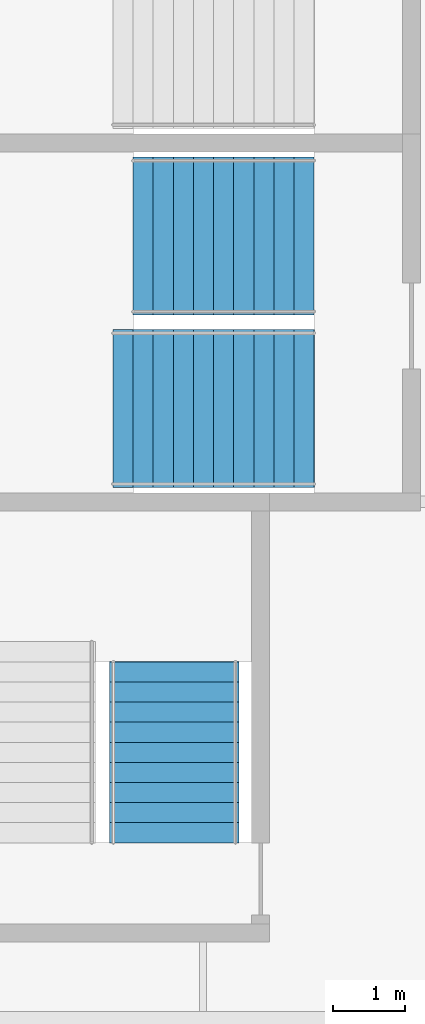
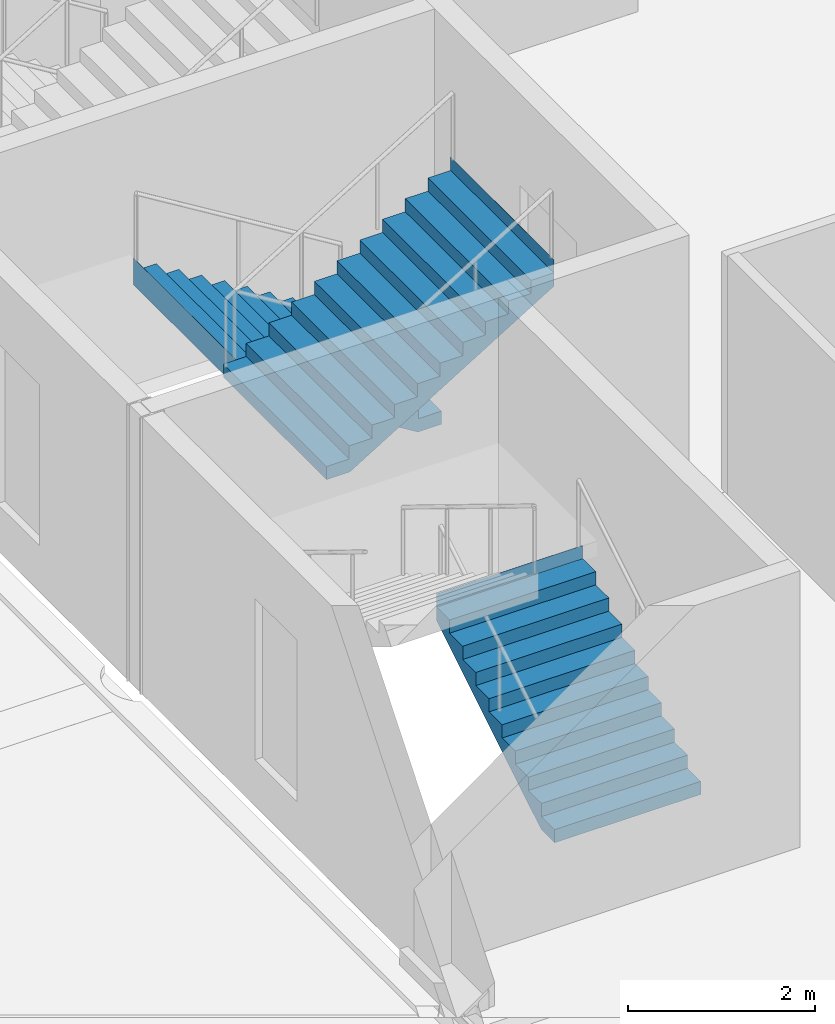
# One storey, part 89 of 143: 3 stair flights, 2 elements without a shape of their own.
"""IFC4 building model written with IfcOpenShell, lengths in metres."""

from ifc_helpers import new_model, si_unit, direction, frame, origin, place, context, subcontext, project, spatial, polyline, outline, extrude, material, type_object, element, aggregate, save


model = new_model("IFC4")

# Units and contexts
model_context = context("Model", 3, precision=1e-05, world=origin(), true_north=direction((0.0, 1.0)))
body_context = subcontext(model_context, "Body", "Model", "MODEL_VIEW")
ifc_project = project(units=[si_unit("LENGTHUNIT", "METRE"), si_unit("AREAUNIT", "SQUARE_METRE"), si_unit("VOLUMEUNIT", "CUBIC_METRE"), si_unit("PLANEANGLEUNIT", "RADIAN"), si_unit("MASSUNIT", "GRAM", prefix="KILO")], contexts=[model_context])

# Site, building, storey
site_placement = place(None, origin())
site = spatial("IfcSite", under=ifc_project, at=site_placement, CompositionType="ELEMENT")
building_placement = place(site_placement, origin())
building = spatial("IfcBuilding", under=site, at=building_placement, Name="Kupolbacken Congress Centre", CompositionType="ELEMENT")
storey_placement = place(building_placement, frame((0.0, 0.0, 7.199951171875)))
storey = spatial("IfcBuildingStorey", under=building, at=storey_placement, Name="L02", CompositionType="ELEMENT", Elevation=7.199951171875)

# Stair, stair flights
ifc_material_1 = material(Name="Concrete C30/37", Category="concrete")
stair_type_1 = type_object("IfcStairType", Name="ST13 stair 2200", PredefinedType="TWO_STRAIGHT_RUN_STAIR", material=ifc_material_1)
stair_1_placement = place(storey_placement, origin())
stair_1 = element("IfcStair", 1, at=stair_1_placement, inside=storey, type_object=stair_type_1, Name="C/stair/PS1SW/L02", PredefinedType="NOTDEFINED")
ifc_material_2 = material(Name="Concrete C30/37", Category="concrete")
stair_flight_type_1 = type_object("IfcStairFlightType", Name="FL13 stair flight 2200 x 10 risers", PredefinedType="STRAIGHT", material=ifc_material_2)
stair_flight_1_placement = place(storey_placement, frame((12.344970703125, 54.10009765625, 0.0), z_axis=(0.0, 0.0, 1.0), x_axis=(-1.0, 0.0, 0.0)))
stair_flight_1 = element("IfcStairFlight", 2, at=stair_flight_1_placement, type_object=stair_flight_type_1, Name="PS1SW flight 1", NumberOfRisers=10, NumberOfTreads=9, PredefinedType="STRAIGHT", RiserHeight=0.171428571, TreadLength=0.28, context=body_context, shape_type="SweptSolid", body=[
    extrude(outline(polyline([(0.0, 0.0), (0.0, 0.0009765625), (0.0, 0.002197265625), (0.0, 0.003173828125), (0.0, 0.004150390625), (0.0, 0.00537109375), (0.0, 0.00634765625), (0.0, 0.007568359375), (0.0, 0.008544921875), (0.0, 0.009521484375), (0.0, 0.0107421875), (0.0, 0.01171875), (0.0, 0.0126953125), (0.0, 0.013916015625), (0.0, 0.014892578125), (0.0, 0.015869140625), (0.0, 0.01708984375), (0.0, 0.01806640625), (0.0, 0.019287109375), (0.0, 0.020263671875), (0.0, 0.021240234375), (0.0, 0.0224609375), (0.0, 0.0234375), (0.0, 0.0244140625), (0.0, 0.025634765625), (0.0, 0.026611328125), (0.0, 0.027587890625), (0.0, 0.02880859375), (0.0, 0.02978515625), (0.0, 0.03076171875), (0.0, 0.031982421875), (0.0, 0.032958984375), (0.0, 0.0341796875), (0.0, 0.03515625), (0.0, 0.0361328125), (0.0, 0.037353515625), (0.0, 0.038330078125), (0.0, 0.039306640625), (0.0, 0.04052734375), (0.0, 0.04150390625), (0.0, 0.04248046875), (0.0, 0.043701171875), (0.0, 0.044677734375), (0.0, 0.0458984375), (0.0, 0.046875), (0.0, 0.0478515625), (0.0, 0.049072265625), (0.0, 0.050048828125), (0.0, 0.051025390625), (0.0, 0.05224609375), (0.0, 0.05322265625), (0.0, 0.05419921875), (0.0, 0.055419921875), (0.0, 0.056396484375), (0.0, 0.0576171875), (0.0, 0.05859375), (0.0, 0.0595703125), (0.0, 0.060791015625), (0.0, 0.061767578125), (0.0, 0.062744140625), (0.0, 0.06396484375), (0.0, 0.06494140625), (0.0, 0.06591796875), (0.0, 0.067138671875), (0.0, 0.068115234375), (0.0, 0.069091796875), (0.0, 0.0703125), (0.0, 0.0712890625), (0.0, 0.072509765625), (0.0, 0.073486328125), (0.0, 0.074462890625), (0.0, 0.07568359375), (0.0, 0.07666015625), (0.0, 0.07763671875), (0.0, 0.078857421875), (0.0, 0.079833984375), (0.0, 0.080810546875), (0.0, 0.08203125), (0.0, 0.0830078125), (0.0, 0.084228515625), (0.0, 0.085205078125), (0.0, 0.086181640625), (0.0, 0.08740234375), (0.0, 0.08837890625), (0.0, 0.08935546875), (0.0, 0.090576171875), (0.0, 0.091552734375), (0.0, 0.092529296875), (0.0, 0.09375), (0.0, 0.0947265625), (0.0, 0.095947265625), (0.0, 0.096923828125), (0.0, 0.097900390625), (0.0, 0.09912109375), (0.0, 0.10009765625), (0.0, 0.10107421875), (0.0, 0.102294921875), (0.0, 0.103271484375), (0.0, 0.104248046875), (0.0, 0.10546875), (0.0, 0.1064453125), (0.0, 0.107421875), (0.0, 0.108642578125), (0.0, 0.109619140625), (0.0, 0.11083984375), (0.0, 0.11181640625), (0.0, 0.11279296875), (0.0, 0.114013671875), (0.0, 0.114990234375), (0.0, 0.115966796875), (0.0, 0.1171875), (0.0, 0.1181640625), (0.0, 0.119140625), (0.0, 0.120361328125), (0.0, 0.121337890625), (0.0, 0.12255859375), (0.0, 0.12353515625), (0.0, 0.12451171875), (0.0, 0.125732421875), (0.0, 0.126708984375), (0.0, 0.127685546875), (0.0, 0.12890625), (0.0, 0.1298828125), (0.0, 0.130859375), (0.0, 0.132080078125), (0.0, 0.133056640625), (0.0, 0.13427734375), (0.0, 0.13525390625), (0.0, 0.13623046875), (0.0, 0.137451171875), (0.0, 0.138427734375), (0.0, 0.139404296875), (0.0, 0.140625), (0.0, 0.1416015625), (0.0, 0.142578125), (0.0, 0.143798828125), (0.0, 0.144775390625), (0.0, 0.145751953125), (0.0, 0.14697265625), (0.0, 0.14794921875), (0.0, 0.149169921875), (0.0, 0.150146484375), (0.0, 0.151123046875), (0.0, 0.15234375), (0.0, 0.1533203125), (0.0, 0.154296875), (0.0, 0.155517578125), (0.0, 0.156494140625), (0.0, 0.157470703125), (0.0, 0.15869140625), (0.0, 0.15966796875), (0.0, 0.160888671875), (0.0, 0.161865234375), (0.0, 0.162841796875), (0.0, 0.1640625), (0.0, 0.1650390625), (0.0, 0.166015625), (0.0, 0.167236328125), (0.0, 0.168212890625), (0.0, 0.169189453125), (0.0, 0.17041015625), (0.0, 0.17138671875), (0.280029296875, 0.17138671875), (0.280029296875, 0.3427734375), (0.56005859375, 0.3427734375), (0.56005859375, 0.514404296875), (0.840087890625, 0.514404296875), (0.840087890625, 0.685791015625), (1.1201171875, 0.685791015625), (1.1201171875, 0.857177734375), (1.39990234375, 0.857177734375), (1.39990234375, 1.028564453125), (1.679931640625, 1.028564453125), (1.679931640625, 1.199951171875), (1.9599609375, 1.199951171875), (1.9599609375, 1.371337890625), (2.239990234375, 1.371337890625), (2.239990234375, 1.54296875), (2.52001953125, 1.54296875), (2.52001953125, 1.71435546875), (2.52197265625, 1.71435546875), (2.52197265625, 1.712158203125), (2.52197265625, 1.7099609375), (2.52197265625, 1.707763671875), (2.52197265625, 1.70556640625), (2.52197265625, 1.70361328125), (2.52197265625, 1.701416015625), (2.52197265625, 1.69921875), (2.52197265625, 1.697021484375), (2.52197265625, 1.69482421875), (2.52197265625, 1.692626953125), (2.52197265625, 1.690673828125), (2.52197265625, 1.6884765625), (2.52197265625, 1.686279296875), (2.52197265625, 1.68408203125), (2.52197265625, 1.681884765625), (2.52197265625, 1.6796875), (2.52197265625, 1.677734375), (2.52197265625, 1.675537109375), (2.52197265625, 1.67333984375), (2.52197265625, 1.671142578125), (2.52197265625, 1.6689453125), (2.52197265625, 1.666748046875), (2.52197265625, 1.664794921875), (2.52197265625, 1.66259765625), (2.52197265625, 1.660400390625), (2.52197265625, 1.658203125), (2.52197265625, 1.656005859375), (2.52197265625, 1.65380859375), (2.52197265625, 1.65185546875), (2.52197265625, 1.649658203125), (2.52197265625, 1.6474609375), (2.52197265625, 1.645263671875), (2.52197265625, 1.64306640625), (2.52197265625, 1.640869140625), (2.52197265625, 1.638916015625), (2.52197265625, 1.63671875), (2.52197265625, 1.634521484375), (2.52197265625, 1.63232421875), (2.52197265625, 1.630126953125), (2.52197265625, 1.6279296875), (2.52197265625, 1.6259765625), (2.52197265625, 1.623779296875), (2.52197265625, 1.62158203125), (2.52197265625, 1.619384765625), (2.52197265625, 1.6171875), (2.52197265625, 1.614990234375), (2.52197265625, 1.613037109375), (2.52197265625, 1.61083984375), (2.52197265625, 1.608642578125), (2.52197265625, 1.6064453125), (2.52197265625, 1.604248046875), (2.52197265625, 1.60205078125), (2.52197265625, 1.60009765625), (2.52197265625, 1.597900390625), (2.52197265625, 1.595703125), (2.52197265625, 1.593505859375), (2.52197265625, 1.59130859375), (2.52197265625, 1.589111328125), (2.52197265625, 1.587158203125), (2.52197265625, 1.5849609375), (2.52197265625, 1.582763671875), (2.52197265625, 1.58056640625), (2.52197265625, 1.578369140625), (2.52197265625, 1.576171875), (2.52197265625, 1.57421875), (2.52197265625, 1.572021484375), (2.52197265625, 1.56982421875), (2.52197265625, 1.567626953125), (2.52197265625, 1.5654296875), (2.52197265625, 1.563232421875), (2.52197265625, 1.561279296875), (2.52197265625, 1.55908203125), (2.52197265625, 1.556884765625), (2.52197265625, 1.5546875), (2.52197265625, 1.552490234375), (2.52197265625, 1.55029296875), (2.52197265625, 1.54833984375), (2.52197265625, 1.546142578125), (2.52197265625, 1.5439453125), (2.52197265625, 1.541748046875), (2.52197265625, 1.53955078125), (2.52197265625, 1.537353515625), (2.52197265625, 1.535400390625), (2.52197265625, 1.533203125), (2.52197265625, 1.531005859375), (2.52197265625, 1.52880859375), (2.52197265625, 1.526611328125), (2.52197265625, 1.5244140625), (2.52197265625, 1.5224609375), (2.52197265625, 1.520263671875), (2.52197265625, 1.51806640625), (2.52197265625, 1.515869140625), (2.52197265625, 1.513671875), (2.52197265625, 1.511474609375), (2.52197265625, 1.509521484375), (2.52197265625, 1.50732421875), (2.52197265625, 1.505126953125), (2.52197265625, 1.5029296875), (2.52197265625, 1.500732421875), (2.52197265625, 1.49853515625), (2.52197265625, 1.49658203125), (2.52197265625, 1.494384765625), (2.52197265625, 1.4921875), (2.52197265625, 1.489990234375), (2.52197265625, 1.48779296875), (2.52197265625, 1.485595703125), (2.52197265625, 1.483642578125), (2.52197265625, 1.4814453125), (2.52197265625, 1.479248046875), (2.52197265625, 1.47705078125), (2.52197265625, 1.474853515625), (2.52197265625, 1.47265625), (2.52197265625, 1.470703125), (2.52197265625, 1.468505859375), (2.52197265625, 1.46630859375), (2.52197265625, 1.464111328125), (2.52197265625, 1.4619140625), (2.52197265625, 1.459716796875), (2.52197265625, 1.457763671875), (2.52197265625, 1.45556640625), (2.52197265625, 1.453369140625), (2.52197265625, 1.451171875), (2.52197265625, 1.448974609375), (2.52197265625, 1.44677734375), (2.52197265625, 1.44482421875), (2.52197265625, 1.442626953125), (2.52197265625, 1.4404296875), (2.52197265625, 1.438232421875), (2.52197265625, 1.43603515625), (2.52197265625, 1.433837890625), (2.52197265625, 1.431884765625), (2.52197265625, 1.4296875), (2.52197265625, 1.427490234375), (2.52197265625, 1.42529296875), (2.52197265625, 1.423095703125), (2.52197265625, 1.4208984375), (2.52197265625, 1.4189453125), (2.52197265625, 1.416748046875), (2.52197265625, 1.41455078125), (2.52197265625, 1.412353515625), (2.52197265625, 1.41015625), (2.52197265625, 1.407958984375), (2.52197265625, 1.406005859375), (2.52197265625, 1.40380859375), (2.52197265625, 1.401611328125), (2.52197265625, 1.3994140625), (2.52197265625, 1.397216796875), (2.52197265625, 1.39501953125), (2.52197265625, 1.39306640625), (2.52197265625, 1.390869140625), (2.52197265625, 1.388671875), (2.52197265625, 1.386474609375), (2.52197265625, 1.38427734375), (2.52197265625, 1.382080078125), (2.52197265625, 1.380126953125), (2.52197265625, 1.3779296875), (2.52197265625, 1.375732421875), (2.52197265625, 1.37353515625), (2.52197265625, 1.371337890625), (2.52197265625, 1.369140625), (2.52197265625, 1.3671875), (0.2890625, 0.0), (0.0, 0.0)])), frame((0.0, 1.10009765625, 0.0), z_axis=(0.0, -1.0, 0.0), x_axis=(1.0, 0.0, 0.0)), (0.0, 0.0, 1.0), 2.199951171875),
])
ifc_material_3 = material(Name="Concrete C30/37", Category="concrete")
stair_flight_type_2 = type_object("IfcStairFlightType", Name="FL14 stair flight 2200 x 11 risers", PredefinedType="STRAIGHT", material=ifc_material_3)
stair_flight_2_placement = place(storey_placement, frame((9.544921875, 51.699951171875, 1.71435546875), z_axis=(0.0, 0.0, 1.0), x_axis=(1.0, 0.0, 0.0)))
stair_flight_2 = element("IfcStairFlight", 3, at=stair_flight_2_placement, type_object=stair_flight_type_2, Name="PS1SW flight 2", NumberOfRisers=11, NumberOfTreads=10, PredefinedType="STRAIGHT", RiserHeight=0.171428571, TreadLength=0.28, context=body_context, shape_type="SweptSolid", body=[
    extrude(outline(polyline([(0.0, 0.0), (0.0, 0.0009765625), (0.0, 0.002197265625), (0.0, 0.003173828125), (0.0, 0.004150390625), (0.0, 0.00537109375), (0.0, 0.00634765625), (0.0, 0.007568359375), (0.0, 0.008544921875), (0.0, 0.009521484375), (0.0, 0.0107421875), (0.0, 0.01171875), (0.0, 0.0126953125), (0.0, 0.013916015625), (0.0, 0.014892578125), (0.0, 0.015869140625), (0.0, 0.01708984375), (0.0, 0.01806640625), (0.0, 0.019287109375), (0.0, 0.020263671875), (0.0, 0.021240234375), (0.0, 0.0224609375), (0.0, 0.0234375), (0.0, 0.0244140625), (0.0, 0.025634765625), (0.0, 0.026611328125), (0.0, 0.027587890625), (0.0, 0.02880859375), (0.0, 0.02978515625), (0.0, 0.03076171875), (0.0, 0.031982421875), (0.0, 0.032958984375), (0.0, 0.0341796875), (0.0, 0.03515625), (0.0, 0.0361328125), (0.0, 0.037353515625), (0.0, 0.038330078125), (0.0, 0.039306640625), (0.0, 0.04052734375), (0.0, 0.04150390625), (0.0, 0.04248046875), (0.0, 0.043701171875), (0.0, 0.044677734375), (0.0, 0.0458984375), (0.0, 0.046875), (0.0, 0.0478515625), (0.0, 0.049072265625), (0.0, 0.050048828125), (0.0, 0.051025390625), (0.0, 0.05224609375), (0.0, 0.05322265625), (0.0, 0.05419921875), (0.0, 0.055419921875), (0.0, 0.056396484375), (0.0, 0.0576171875), (0.0, 0.05859375), (0.0, 0.0595703125), (0.0, 0.060791015625), (0.0, 0.061767578125), (0.0, 0.062744140625), (0.0, 0.06396484375), (0.0, 0.06494140625), (0.0, 0.06591796875), (0.0, 0.067138671875), (0.0, 0.068115234375), (0.0, 0.069091796875), (0.0, 0.0703125), (0.0, 0.0712890625), (0.0, 0.072509765625), (0.0, 0.073486328125), (0.0, 0.074462890625), (0.0, 0.07568359375), (0.0, 0.07666015625), (0.0, 0.07763671875), (0.0, 0.078857421875), (0.0, 0.079833984375), (0.0, 0.080810546875), (0.0, 0.08203125), (0.0, 0.0830078125), (0.0, 0.084228515625), (0.0, 0.085205078125), (0.0, 0.086181640625), (0.0, 0.08740234375), (0.0, 0.08837890625), (0.0, 0.08935546875), (0.0, 0.090576171875), (0.0, 0.091552734375), (0.0, 0.092529296875), (0.0, 0.09375), (0.0, 0.0947265625), (0.0, 0.095947265625), (0.0, 0.096923828125), (0.0, 0.097900390625), (0.0, 0.09912109375), (0.0, 0.10009765625), (0.0, 0.10107421875), (0.0, 0.102294921875), (0.0, 0.103271484375), (0.0, 0.104248046875), (0.0, 0.10546875), (0.0, 0.1064453125), (0.0, 0.107421875), (0.0, 0.108642578125), (0.0, 0.109619140625), (0.0, 0.11083984375), (0.0, 0.11181640625), (0.0, 0.11279296875), (0.0, 0.114013671875), (0.0, 0.114990234375), (0.0, 0.115966796875), (0.0, 0.1171875), (0.0, 0.1181640625), (0.0, 0.119140625), (0.0, 0.120361328125), (0.0, 0.121337890625), (0.0, 0.12255859375), (0.0, 0.12353515625), (0.0, 0.12451171875), (0.0, 0.125732421875), (0.0, 0.126708984375), (0.0, 0.127685546875), (0.0, 0.12890625), (0.0, 0.1298828125), (0.0, 0.130859375), (0.0, 0.132080078125), (0.0, 0.133056640625), (0.0, 0.13427734375), (0.0, 0.13525390625), (0.0, 0.13623046875), (0.0, 0.137451171875), (0.0, 0.138427734375), (0.0, 0.139404296875), (0.0, 0.140625), (0.0, 0.1416015625), (0.0, 0.142578125), (0.0, 0.143798828125), (0.0, 0.144775390625), (0.0, 0.145751953125), (0.0, 0.14697265625), (0.0, 0.14794921875), (0.0, 0.149169921875), (0.0, 0.150146484375), (0.0, 0.151123046875), (0.0, 0.15234375), (0.0, 0.1533203125), (0.0, 0.154296875), (0.0, 0.155517578125), (0.0, 0.156494140625), (0.0, 0.157470703125), (0.0, 0.15869140625), (0.0, 0.15966796875), (0.0, 0.160888671875), (0.0, 0.161865234375), (0.0, 0.162841796875), (0.0, 0.1640625), (0.0, 0.1650390625), (0.0, 0.166015625), (0.0, 0.167236328125), (0.0, 0.168212890625), (0.0, 0.169189453125), (0.0, 0.17041015625), (0.0, 0.17138671875), (0.280029296875, 0.17138671875), (0.280029296875, 0.3427734375), (0.56005859375, 0.3427734375), (0.56005859375, 0.514404296875), (0.840087890625, 0.514404296875), (0.840087890625, 0.685791015625), (1.1201171875, 0.685791015625), (1.1201171875, 0.857177734375), (1.39990234375, 0.857177734375), (1.39990234375, 1.028564453125), (1.679931640625, 1.028564453125), (1.679931640625, 1.199951171875), (1.9599609375, 1.199951171875), (1.9599609375, 1.371337890625), (2.239990234375, 1.371337890625), (2.239990234375, 1.54296875), (2.52001953125, 1.54296875), (2.52001953125, 1.71435546875), (2.800048828125, 1.71435546875), (2.800048828125, 1.8857421875), (2.802001953125, 1.8857421875), (2.802001953125, 1.883544921875), (2.802001953125, 1.88134765625), (2.802001953125, 1.879150390625), (2.802001953125, 1.877197265625), (2.802001953125, 1.875), (2.802001953125, 1.872802734375), (2.802001953125, 1.87060546875), (2.802001953125, 1.868408203125), (2.802001953125, 1.8662109375), (2.802001953125, 1.8642578125), (2.802001953125, 1.862060546875), (2.802001953125, 1.85986328125), (2.802001953125, 1.857666015625), (2.802001953125, 1.85546875), (2.802001953125, 1.853271484375), (2.802001953125, 1.851318359375), (2.802001953125, 1.84912109375), (2.802001953125, 1.846923828125), (2.802001953125, 1.8447265625), (2.802001953125, 1.842529296875), (2.802001953125, 1.84033203125), (2.802001953125, 1.83837890625), (2.802001953125, 1.836181640625), (2.802001953125, 1.833984375), (2.802001953125, 1.831787109375), (2.802001953125, 1.82958984375), (2.802001953125, 1.827392578125), (2.802001953125, 1.825439453125), (2.802001953125, 1.8232421875), (2.802001953125, 1.821044921875), (2.802001953125, 1.81884765625), (2.802001953125, 1.816650390625), (2.802001953125, 1.814453125), (2.802001953125, 1.8125), (2.802001953125, 1.810302734375), (2.802001953125, 1.80810546875), (2.802001953125, 1.805908203125), (2.802001953125, 1.8037109375), (2.802001953125, 1.801513671875), (2.802001953125, 1.799560546875), (2.802001953125, 1.79736328125), (2.802001953125, 1.795166015625), (2.802001953125, 1.79296875), (2.802001953125, 1.790771484375), (2.802001953125, 1.78857421875), (2.802001953125, 1.78662109375), (2.802001953125, 1.784423828125), (2.802001953125, 1.7822265625), (2.802001953125, 1.780029296875), (2.802001953125, 1.77783203125), (2.802001953125, 1.775634765625), (2.802001953125, 1.773681640625), (2.802001953125, 1.771484375), (2.802001953125, 1.769287109375), (2.802001953125, 1.76708984375), (2.802001953125, 1.764892578125), (2.802001953125, 1.7626953125), (2.802001953125, 1.7607421875), (2.802001953125, 1.758544921875), (2.802001953125, 1.75634765625), (2.802001953125, 1.754150390625), (2.802001953125, 1.751953125), (2.802001953125, 1.749755859375), (2.802001953125, 1.747802734375), (2.802001953125, 1.74560546875), (2.802001953125, 1.743408203125), (2.802001953125, 1.7412109375), (2.802001953125, 1.739013671875), (2.802001953125, 1.73681640625), (2.802001953125, 1.73486328125), (2.802001953125, 1.732666015625), (2.802001953125, 1.73046875), (2.802001953125, 1.728271484375), (2.802001953125, 1.72607421875), (2.802001953125, 1.723876953125), (2.802001953125, 1.721923828125), (2.802001953125, 1.7197265625), (2.802001953125, 1.717529296875), (2.802001953125, 1.71533203125), (2.802001953125, 1.713134765625), (2.802001953125, 1.7109375), (2.802001953125, 1.708984375), (2.802001953125, 1.706787109375), (2.802001953125, 1.70458984375), (2.802001953125, 1.702392578125), (2.802001953125, 1.7001953125), (2.802001953125, 1.697998046875), (2.802001953125, 1.696044921875), (2.802001953125, 1.69384765625), (2.802001953125, 1.691650390625), (2.802001953125, 1.689453125), (2.802001953125, 1.687255859375), (2.802001953125, 1.68505859375), (2.802001953125, 1.68310546875), (2.802001953125, 1.680908203125), (2.802001953125, 1.6787109375), (2.802001953125, 1.676513671875), (2.802001953125, 1.67431640625), (2.802001953125, 1.672119140625), (2.802001953125, 1.670166015625), (2.802001953125, 1.66796875), (2.802001953125, 1.665771484375), (2.802001953125, 1.66357421875), (2.802001953125, 1.661376953125), (2.802001953125, 1.6591796875), (2.802001953125, 1.6572265625), (2.802001953125, 1.655029296875), (2.802001953125, 1.65283203125), (2.802001953125, 1.650634765625), (2.802001953125, 1.6484375), (2.802001953125, 1.646240234375), (2.802001953125, 1.644287109375), (2.802001953125, 1.64208984375), (2.802001953125, 1.639892578125), (2.802001953125, 1.6376953125), (2.802001953125, 1.635498046875), (2.802001953125, 1.63330078125), (2.802001953125, 1.63134765625), (2.802001953125, 1.629150390625), (2.802001953125, 1.626953125), (2.802001953125, 1.624755859375), (2.802001953125, 1.62255859375), (2.802001953125, 1.620361328125), (2.802001953125, 1.618408203125), (2.802001953125, 1.6162109375), (2.802001953125, 1.614013671875), (2.802001953125, 1.61181640625), (2.802001953125, 1.609619140625), (2.802001953125, 1.607421875), (2.802001953125, 1.60546875), (2.802001953125, 1.603271484375), (2.802001953125, 1.60107421875), (2.802001953125, 1.598876953125), (2.802001953125, 1.5966796875), (2.802001953125, 1.594482421875), (2.802001953125, 1.592529296875), (2.802001953125, 1.59033203125), (2.802001953125, 1.588134765625), (2.802001953125, 1.5859375), (2.802001953125, 1.583740234375), (2.802001953125, 1.58154296875), (2.802001953125, 1.57958984375), (2.802001953125, 1.577392578125), (2.802001953125, 1.5751953125), (2.802001953125, 1.572998046875), (2.802001953125, 1.57080078125), (2.802001953125, 1.568603515625), (2.802001953125, 1.566650390625), (2.802001953125, 1.564453125), (2.802001953125, 1.562255859375), (2.802001953125, 1.56005859375), (2.802001953125, 1.557861328125), (2.802001953125, 1.5556640625), (2.802001953125, 1.5537109375), (2.802001953125, 1.551513671875), (2.802001953125, 1.54931640625), (2.802001953125, 1.547119140625), (2.802001953125, 1.544921875), (2.802001953125, 1.542724609375), (2.802001953125, 1.540771484375), (2.802001953125, 1.53857421875), (0.2890625, 0.0), (0.0, 0.0)])), frame((0.0, 1.10009765625, 0.0), z_axis=(0.0, -1.0, 0.0), x_axis=(1.0, 0.0, 0.0)), (0.0, 0.0, 1.0), 2.199951171875),
])
aggregate(stair_1, [stair_flight_1, stair_flight_2])

# Stair, stair flight
ifc_material_4 = material(Name="Steel S355", Category="steel")
stair_type_2 = type_object("IfcStairType", Name="ST3 stair 1800", PredefinedType="TWO_STRAIGHT_RUN_STAIR", material=ifc_material_4)
stair_2_placement = place(storey_placement, origin())
stair_2 = element("IfcStair", 4, at=stair_2_placement, inside=storey, type_object=stair_type_2, Name="C/stair/FS2W/L02", PredefinedType="NOTDEFINED")
ifc_material_5 = material(Name="Steel S355", Category="steel")
stair_flight_type_3 = type_object("IfcStairFlightType", Name="FL5 stair flight 1800 x 10 risers", PredefinedType="STRAIGHT", material=ifc_material_5)
stair_flight_3_placement = place(storey_placement, frame((10.39990234375, 45.655029296875, 0.0), z_axis=(0.0, 0.0, 1.0), x_axis=(0.0, 1.0, 0.0)))
stair_flight_3 = element("IfcStairFlight", 5, at=stair_flight_3_placement, type_object=stair_flight_type_3, Name="FS2W flight 1", NumberOfRisers=10, NumberOfTreads=9, PredefinedType="STRAIGHT", RiserHeight=0.171428571, TreadLength=0.28, context=body_context, shape_type="SweptSolid", body=[
    extrude(outline(polyline([(0.0, 0.0), (0.0, 0.0009765625), (0.0, 0.002197265625), (0.0, 0.003173828125), (0.0, 0.004150390625), (0.0, 0.00537109375), (0.0, 0.00634765625), (0.0, 0.007568359375), (0.0, 0.008544921875), (0.0, 0.009521484375), (0.0, 0.0107421875), (0.0, 0.01171875), (0.0, 0.0126953125), (0.0, 0.013916015625), (0.0, 0.014892578125), (0.0, 0.015869140625), (0.0, 0.01708984375), (0.0, 0.01806640625), (0.0, 0.019287109375), (0.0, 0.020263671875), (0.0, 0.021240234375), (0.0, 0.0224609375), (0.0, 0.0234375), (0.0, 0.0244140625), (0.0, 0.025634765625), (0.0, 0.026611328125), (0.0, 0.027587890625), (0.0, 0.02880859375), (0.0, 0.02978515625), (0.0, 0.03076171875), (0.0, 0.031982421875), (0.0, 0.032958984375), (0.0, 0.0341796875), (0.0, 0.03515625), (0.0, 0.0361328125), (0.0, 0.037353515625), (0.0, 0.038330078125), (0.0, 0.039306640625), (0.0, 0.04052734375), (0.0, 0.04150390625), (0.0, 0.04248046875), (0.0, 0.043701171875), (0.0, 0.044677734375), (0.0, 0.0458984375), (0.0, 0.046875), (0.0, 0.0478515625), (0.0, 0.049072265625), (0.0, 0.050048828125), (0.0, 0.051025390625), (0.0, 0.05224609375), (0.0, 0.05322265625), (0.0, 0.05419921875), (0.0, 0.055419921875), (0.0, 0.056396484375), (0.0, 0.0576171875), (0.0, 0.05859375), (0.0, 0.0595703125), (0.0, 0.060791015625), (0.0, 0.061767578125), (0.0, 0.062744140625), (0.0, 0.06396484375), (0.0, 0.06494140625), (0.0, 0.06591796875), (0.0, 0.067138671875), (0.0, 0.068115234375), (0.0, 0.069091796875), (0.0, 0.0703125), (0.0, 0.0712890625), (0.0, 0.072509765625), (0.0, 0.073486328125), (0.0, 0.074462890625), (0.0, 0.07568359375), (0.0, 0.07666015625), (0.0, 0.07763671875), (0.0, 0.078857421875), (0.0, 0.079833984375), (0.0, 0.080810546875), (0.0, 0.08203125), (0.0, 0.0830078125), (0.0, 0.084228515625), (0.0, 0.085205078125), (0.0, 0.086181640625), (0.0, 0.08740234375), (0.0, 0.08837890625), (0.0, 0.08935546875), (0.0, 0.090576171875), (0.0, 0.091552734375), (0.0, 0.092529296875), (0.0, 0.09375), (0.0, 0.0947265625), (0.0, 0.095947265625), (0.0, 0.096923828125), (0.0, 0.097900390625), (0.0, 0.09912109375), (0.0, 0.10009765625), (0.0, 0.10107421875), (0.0, 0.102294921875), (0.0, 0.103271484375), (0.0, 0.104248046875), (0.0, 0.10546875), (0.0, 0.1064453125), (0.0, 0.107421875), (0.0, 0.108642578125), (0.0, 0.109619140625), (0.0, 0.11083984375), (0.0, 0.11181640625), (0.0, 0.11279296875), (0.0, 0.114013671875), (0.0, 0.114990234375), (0.0, 0.115966796875), (0.0, 0.1171875), (0.0, 0.1181640625), (0.0, 0.119140625), (0.0, 0.120361328125), (0.0, 0.121337890625), (0.0, 0.12255859375), (0.0, 0.12353515625), (0.0, 0.12451171875), (0.0, 0.125732421875), (0.0, 0.126708984375), (0.0, 0.127685546875), (0.0, 0.12890625), (0.0, 0.1298828125), (0.0, 0.130859375), (0.0, 0.132080078125), (0.0, 0.133056640625), (0.0, 0.13427734375), (0.0, 0.13525390625), (0.0, 0.13623046875), (0.0, 0.137451171875), (0.0, 0.138427734375), (0.0, 0.139404296875), (0.0, 0.140625), (0.0, 0.1416015625), (0.0, 0.142578125), (0.0, 0.143798828125), (0.0, 0.144775390625), (0.0, 0.145751953125), (0.0, 0.14697265625), (0.0, 0.14794921875), (0.0, 0.149169921875), (0.0, 0.150146484375), (0.0, 0.151123046875), (0.0, 0.15234375), (0.0, 0.1533203125), (0.0, 0.154296875), (0.0, 0.155517578125), (0.0, 0.156494140625), (0.0, 0.157470703125), (0.0, 0.15869140625), (0.0, 0.15966796875), (0.0, 0.160888671875), (0.0, 0.161865234375), (0.0, 0.162841796875), (0.0, 0.1640625), (0.0, 0.1650390625), (0.0, 0.166015625), (0.0, 0.167236328125), (0.0, 0.168212890625), (0.0, 0.169189453125), (0.0, 0.17041015625), (0.0, 0.17138671875), (0.280029296875, 0.17138671875), (0.280029296875, 0.3427734375), (0.56005859375, 0.3427734375), (0.56005859375, 0.514404296875), (0.840087890625, 0.514404296875), (0.840087890625, 0.685791015625), (1.1201171875, 0.685791015625), (1.1201171875, 0.857177734375), (1.39990234375, 0.857177734375), (1.39990234375, 1.028564453125), (1.679931640625, 1.028564453125), (1.679931640625, 1.199951171875), (1.9599609375, 1.199951171875), (1.9599609375, 1.371337890625), (2.239990234375, 1.371337890625), (2.239990234375, 1.54296875), (2.52001953125, 1.54296875), (2.52001953125, 1.71435546875), (2.52197265625, 1.71435546875), (2.52197265625, 1.712158203125), (2.52197265625, 1.7099609375), (2.52197265625, 1.707763671875), (2.52197265625, 1.70556640625), (2.52197265625, 1.70361328125), (2.52197265625, 1.701416015625), (2.52197265625, 1.69921875), (2.52197265625, 1.697021484375), (2.52197265625, 1.69482421875), (2.52197265625, 1.692626953125), (2.52197265625, 1.690673828125), (2.52197265625, 1.6884765625), (2.52197265625, 1.686279296875), (2.52197265625, 1.68408203125), (2.52197265625, 1.681884765625), (2.52197265625, 1.6796875), (2.52197265625, 1.677734375), (2.52197265625, 1.675537109375), (2.52197265625, 1.67333984375), (2.52197265625, 1.671142578125), (2.52197265625, 1.6689453125), (2.52197265625, 1.666748046875), (2.52197265625, 1.664794921875), (2.52197265625, 1.66259765625), (2.52197265625, 1.660400390625), (2.52197265625, 1.658203125), (2.52197265625, 1.656005859375), (2.52197265625, 1.65380859375), (2.52197265625, 1.65185546875), (2.52197265625, 1.649658203125), (2.52197265625, 1.6474609375), (2.52197265625, 1.645263671875), (2.52197265625, 1.64306640625), (2.52197265625, 1.640869140625), (2.52197265625, 1.638916015625), (2.52197265625, 1.63671875), (2.52197265625, 1.634521484375), (2.52197265625, 1.63232421875), (2.52197265625, 1.630126953125), (2.52197265625, 1.6279296875), (2.52197265625, 1.6259765625), (2.52197265625, 1.623779296875), (2.52197265625, 1.62158203125), (2.52197265625, 1.619384765625), (2.52197265625, 1.6171875), (2.52197265625, 1.614990234375), (2.52197265625, 1.613037109375), (2.52197265625, 1.61083984375), (2.52197265625, 1.608642578125), (2.52197265625, 1.6064453125), (2.52197265625, 1.604248046875), (2.52197265625, 1.60205078125), (2.52197265625, 1.60009765625), (2.52197265625, 1.597900390625), (2.52197265625, 1.595703125), (2.52197265625, 1.593505859375), (2.52197265625, 1.59130859375), (2.52197265625, 1.589111328125), (2.52197265625, 1.587158203125), (2.52197265625, 1.5849609375), (2.52197265625, 1.582763671875), (2.52197265625, 1.58056640625), (2.52197265625, 1.578369140625), (2.52197265625, 1.576171875), (2.52197265625, 1.57421875), (2.52197265625, 1.572021484375), (2.52197265625, 1.56982421875), (2.52197265625, 1.567626953125), (2.52197265625, 1.5654296875), (2.52197265625, 1.563232421875), (2.52197265625, 1.561279296875), (2.52197265625, 1.55908203125), (2.52197265625, 1.556884765625), (2.52197265625, 1.5546875), (2.52197265625, 1.552490234375), (2.52197265625, 1.55029296875), (2.52197265625, 1.54833984375), (2.52197265625, 1.546142578125), (2.52197265625, 1.5439453125), (2.52197265625, 1.541748046875), (2.52197265625, 1.53955078125), (2.52197265625, 1.537353515625), (2.52197265625, 1.535400390625), (2.52197265625, 1.533203125), (2.52197265625, 1.531005859375), (2.52197265625, 1.52880859375), (2.52197265625, 1.526611328125), (2.52197265625, 1.5244140625), (2.52197265625, 1.5224609375), (2.52197265625, 1.520263671875), (2.52197265625, 1.51806640625), (2.52197265625, 1.515869140625), (2.52197265625, 1.513671875), (2.52197265625, 1.511474609375), (2.52197265625, 1.509521484375), (2.52197265625, 1.50732421875), (2.52197265625, 1.505126953125), (2.52197265625, 1.5029296875), (2.52197265625, 1.500732421875), (2.52197265625, 1.49853515625), (2.52197265625, 1.49658203125), (2.52197265625, 1.494384765625), (2.52197265625, 1.4921875), (2.52197265625, 1.489990234375), (2.52197265625, 1.48779296875), (2.52197265625, 1.485595703125), (2.52197265625, 1.483642578125), (2.52197265625, 1.4814453125), (2.52197265625, 1.479248046875), (2.52197265625, 1.47705078125), (2.52197265625, 1.474853515625), (2.52197265625, 1.47265625), (2.52197265625, 1.470703125), (2.52197265625, 1.468505859375), (2.52197265625, 1.46630859375), (2.52197265625, 1.464111328125), (2.52197265625, 1.4619140625), (2.52197265625, 1.459716796875), (2.52197265625, 1.457763671875), (2.52197265625, 1.45556640625), (2.52197265625, 1.453369140625), (2.52197265625, 1.451171875), (2.52197265625, 1.448974609375), (2.52197265625, 1.44677734375), (2.52197265625, 1.44482421875), (2.52197265625, 1.442626953125), (2.52197265625, 1.4404296875), (2.52197265625, 1.438232421875), (2.52197265625, 1.43603515625), (2.52197265625, 1.433837890625), (2.52197265625, 1.431884765625), (2.52197265625, 1.4296875), (2.52197265625, 1.427490234375), (2.52197265625, 1.42529296875), (2.52197265625, 1.423095703125), (2.52197265625, 1.4208984375), (2.52197265625, 1.4189453125), (2.52197265625, 1.416748046875), (2.52197265625, 1.41455078125), (2.52197265625, 1.412353515625), (2.52197265625, 1.41015625), (2.52197265625, 1.407958984375), (2.52197265625, 1.406005859375), (2.52197265625, 1.40380859375), (2.52197265625, 1.401611328125), (2.52197265625, 1.3994140625), (2.52197265625, 1.397216796875), (2.52197265625, 1.39501953125), (2.52197265625, 1.39306640625), (2.52197265625, 1.390869140625), (2.52197265625, 1.388671875), (2.52197265625, 1.386474609375), (2.52197265625, 1.38427734375), (2.52197265625, 1.382080078125), (2.52197265625, 1.380126953125), (2.52197265625, 1.3779296875), (2.52197265625, 1.375732421875), (2.52197265625, 1.37353515625), (2.52197265625, 1.371337890625), (2.52197265625, 1.369140625), (2.52197265625, 1.3671875), (0.2890625, 0.0), (0.0, 0.0)])), frame((0.0, 0.89990234375, 0.0), z_axis=(0.0, -1.0, 0.0), x_axis=(1.0, 0.0, 0.0)), (0.0, 0.0, 1.0), 1.800048828125),
])
aggregate(stair_2, [stair_flight_3])

save(model, "model.ifc")
